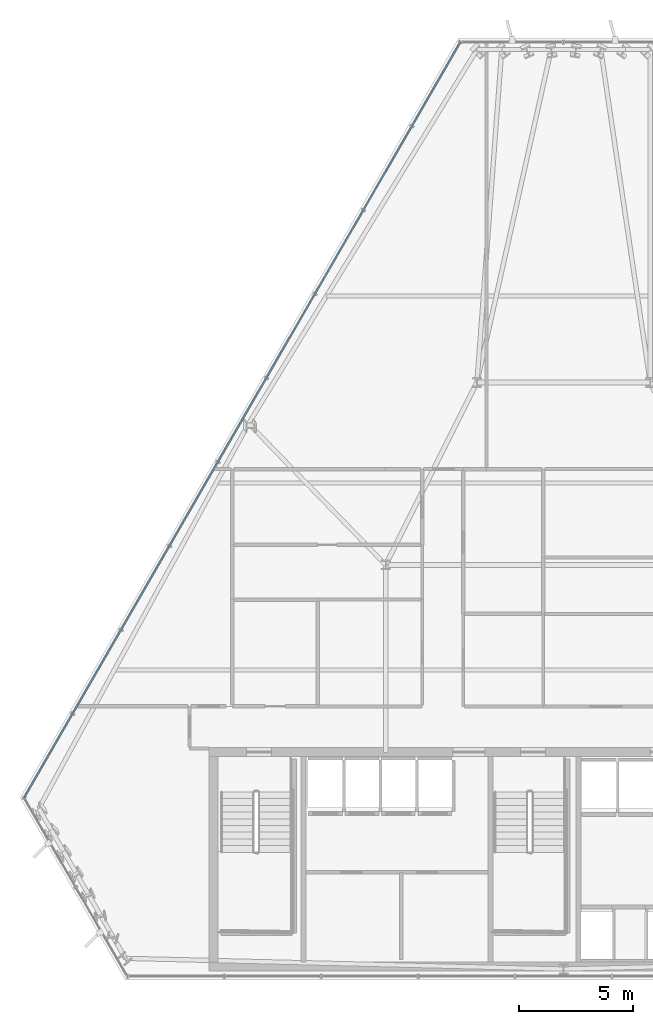
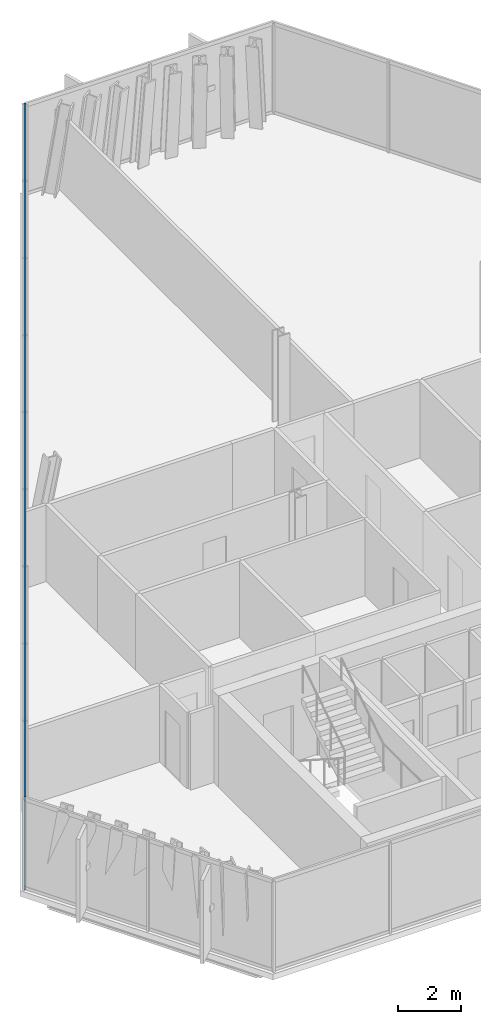
# One storey, part 11 of 34: 2 members, 1 element without a shape of its own.
"""IFC4 building model written with IfcOpenShell, lengths in metres."""

from ifc_helpers import new_model, si_unit, direction, frame, origin, origin_2d, place, context, subcontext, project, spatial, hollow_rectangle, extrude, material, layer, layer_set, material_profile, profile_set, type_object, element, aggregate, save


model = new_model("IFC4")

# Units and contexts
model_context = context("Model", 3, precision=1e-05, world=origin(), true_north=direction((0.0, 1.0)))
body_context = subcontext(model_context, "Body", "Model", "MODEL_VIEW")
ifc_project = project(units=[si_unit("LENGTHUNIT", "METRE"), si_unit("AREAUNIT", "SQUARE_METRE"), si_unit("VOLUMEUNIT", "CUBIC_METRE"), si_unit("PLANEANGLEUNIT", "RADIAN"), si_unit("MASSUNIT", "GRAM", prefix="KILO")], contexts=[model_context])

# Site, building, storey
site_placement = place(None, origin())
site = spatial("IfcSite", under=ifc_project, at=site_placement, CompositionType="ELEMENT")
building_placement = place(site_placement, origin())
building = spatial("IfcBuilding", under=site, at=building_placement, Name="Ndaravel Arena Tower", CompositionType="ELEMENT")
storey_placement = place(building_placement, frame((0.0, 0.0, 199.199951171875)))
storey = spatial("IfcBuildingStorey", under=building, at=storey_placement, Name="L48", CompositionType="ELEMENT", Elevation=199.199951171875)

# Curtain wall, members
ifc_material_1 = material(Name="Aluminium", Category="aluminium")
ifc_layer = layer(ifc_material_1, 0.179931640625)
ifc_layer_set = layer_set([ifc_layer], Name="Aluminium")
curtain_wall_type = type_object("IfcCurtainWallType", Name="CW-SYS-03", PredefinedType="NOTDEFINED", material=ifc_layer_set)
curtain_wall_placement = place(storey_placement, origin())
curtain_wall = element("IfcCurtainWall", 1, at=curtain_wall_placement, inside=storey, type_object=curtain_wall_type, Name="L48 Faceted Crystal Curtain Wall CW-L48-E05", PredefinedType="NOTDEFINED")
ifc_material_2 = material(Name="Aluminium", Category="aluminium")
ifc_material_profile = material_profile(ifc_material_2, hollow_rectangle(XDim=0.074951171875, YDim=0.14990234375, WallThickness=0.00390625, at=origin_2d()), Name="CW TRANSOM 75x150x4")
ifc_profile_set = profile_set([ifc_material_profile], Name="Aluminium")
member_type = type_object("IfcMemberType", Name="MEM-CW-TRN150", PredefinedType="USERDEFINED", material=ifc_profile_set)
member_1_placement = place(storey_placement, frame((37.47705078125, 46.1259765625, 0.0400390625), z_axis=(-0.499999759107, -0.866025542864, 0.0), x_axis=(0.866025542864, -0.499999759107, 0.0)))
member_1 = element("IfcMember", 2, at=member_1_placement, type_object=member_type, Name="CW-L48-E05 Transom 01", ObjectType="TRANSOM", PredefinedType="USERDEFINED", context=body_context, shape_type="SweptSolid", body=[
    extrude(hollow_rectangle(XDim=0.074951171875, YDim=0.14990234375, WallThickness=0.00390625, at=origin_2d()), origin(), (0.0, 0.0, 1.0), 38.25732421875),
])
member_2_placement = place(storey_placement, frame((37.47705078125, 46.1259765625, 3.47998046875), z_axis=(-0.499999759107, -0.866025542864, 0.0), x_axis=(0.866025542864, -0.499999759107, 0.0)))
member_2 = element("IfcMember", 3, at=member_2_placement, type_object=member_type, Name="CW-L48-E05 Transom 02", ObjectType="TRANSOM", PredefinedType="USERDEFINED", context=body_context, shape_type="SweptSolid", body=[
    extrude(hollow_rectangle(XDim=0.074951171875, YDim=0.14990234375, WallThickness=0.00390625, at=origin_2d()), origin(), (0.0, 0.0, 1.0), 38.25732421875),
])
aggregate(curtain_wall, [member_1, member_2])

save(model, "model.ifc")
